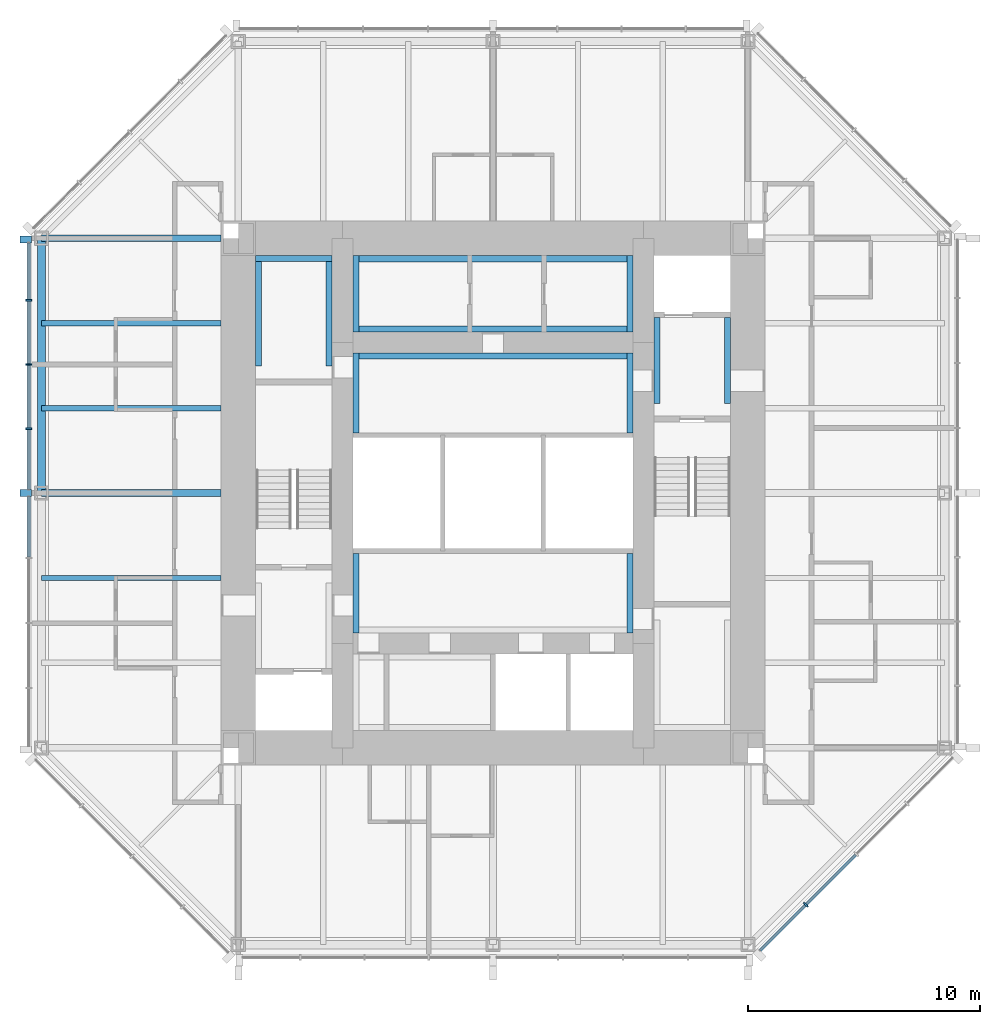
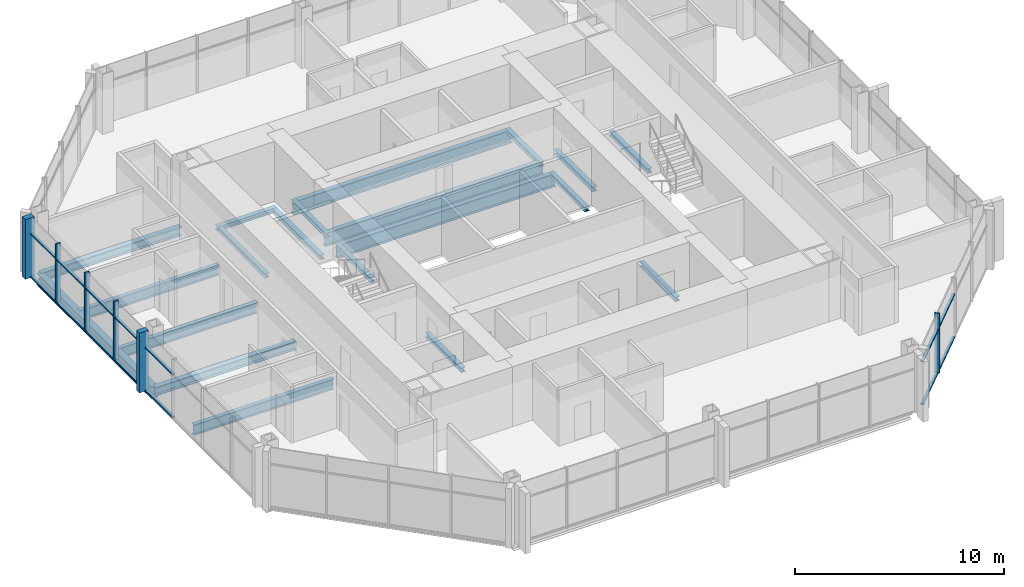
# One storey, part 3 of 11: 20 beams, 20 members, 2 elements without a shape of their own.
"""IFC4 building model written with IfcOpenShell, lengths in metres."""

from ifc_helpers import new_model, si_unit, direction, frame, origin, origin_2d, place, context, subcontext, project, spatial, rectangle, i_section, extrude, material, material_profile, profile_set, type_object, element, aggregate, save


model = new_model("IFC4")

# Units and contexts
model_context = context("Model", 3, precision=1e-05, world=origin(), true_north=direction((0.0, 1.0)))
body_context = subcontext(model_context, "Body", "Model", "MODEL_VIEW")
ifc_project = project(units=[si_unit("LENGTHUNIT", "METRE"), si_unit("AREAUNIT", "SQUARE_METRE"), si_unit("VOLUMEUNIT", "CUBIC_METRE"), si_unit("PLANEANGLEUNIT", "RADIAN"), si_unit("MASSUNIT", "GRAM", prefix="KILO")], contexts=[model_context])

# Site, building, storey
site_placement = place(None, origin())
site = spatial("IfcSite", under=ifc_project, at=site_placement, CompositionType="ELEMENT")
building_placement = place(site_placement, origin())
building = spatial("IfcBuilding", under=site, at=building_placement, Name="Trevanion Tower", CompositionType="ELEMENT")
storey_placement = place(building_placement, frame((0.0, 0.0, 222.199951171875)))
storey = spatial("IfcBuildingStorey", under=building, at=storey_placement, Name="L53", CompositionType="ELEMENT", Elevation=222.199951171875)

# Beams
ifc_material_1 = material(Name="Steel ASTM A992 Grade 50", Category="steel")
ifc_material_profile_1 = material_profile(ifc_material_1, i_section(OverallWidth=0.228271484375, OverallDepth=0.607177734375, WebThickness=0.01123046875, FlangeThickness=0.017333984375, at=origin_2d()), Name="W24X76")
ifc_profile_set_1 = profile_set([ifc_material_profile_1], Name="Steel ASTM A992 Grade 50")
beam_type_1 = type_object("IfcBeamType", Name="B11 W24X76", PredefinedType="BEAM", material=ifc_profile_set_1)
for number, where, z_axis, x_axis, name in (
    (1, (-11.75, 7.333251953125, -0.493408203125), (-1.0, 0.0, 0.0), (0.0, -1.0, 0.0), "B11 L53"),
    (2, (-11.75, 3.666748046875, -0.493408203125), (-1.0, 0.0, 0.0), (0.0, -1.0, 0.0), "B11 L53"),
    (3, (-11.75, -3.666748046875, -0.493408203125), (-1.0, 0.0, 0.0), (0.0, -1.0, 0.0), "B11 L53"),
):
    element("IfcBeam", number, at=place(storey_placement, frame(where, z_axis=z_axis, x_axis=x_axis)), inside=storey, type_object=beam_type_1, Name=name, PredefinedType="BEAM", context=body_context, shape_type="SweptSolid", body=[
        extrude(i_section(OverallWidth=0.228271484375, OverallDepth=0.607177734375, WebThickness=0.01123046875, FlangeThickness=0.017333984375, at=origin_2d()), origin(), (0.0, 0.0, 1.0), 7.75),
    ])

# Curtain wall, members
ifc_material_2 = material(Name="Aluminium and glass", Category="aluminium")
curtain_wall_type = type_object("IfcCurtainWallType", Name="CW3 curtain wall", PredefinedType="USERDEFINED", material=ifc_material_2)
curtain_wall_1_placement = place(storey_placement, origin())
curtain_wall_1 = element("IfcCurtainWall", 4, at=curtain_wall_1_placement, inside=storey, type_object=curtain_wall_type, Name="CW3 L53 4", ObjectType="UNITISED CURTAIN WALL", PredefinedType="USERDEFINED")
ifc_material_3 = material(Name="Aluminium extrusion, anodised bronze", Category="aluminium")
ifc_material_profile_2 = material_profile(ifc_material_3, rectangle(XDim=0.074951171875, YDim=0.25, at=origin_2d()), Name="CW3 mullion")
ifc_profile_set_2 = profile_set([ifc_material_profile_2], Name="Aluminium extrusion, anodised bronze")
member_type_1 = type_object("IfcMemberType", Name="CW3 mullion", PredefinedType="MULLION", material=ifc_profile_set_2)
member_1_placement = place(storey_placement, frame((-20.050048828125, 8.323486328125, -0.18994140625), z_axis=(0.0, 0.0, 1.0), x_axis=(0.0, -1.0, 0.0)))
member_1 = element("IfcMember", 5, at=member_1_placement, type_object=member_type_1, Name="CW3 mullion 2", PredefinedType="MULLION", context=body_context, shape_type="SweptSolid", body=[
    extrude(rectangle(XDim=0.074951171875, YDim=0.25, at=origin_2d()), origin(), (0.0, 0.0, 1.0), 3.5),
])
member_2_placement = place(storey_placement, frame((-20.050048828125, 5.548828125, -0.18994140625), z_axis=(0.0, 0.0, 1.0), x_axis=(0.0, -1.0, 0.0)))
member_2 = element("IfcMember", 6, at=member_2_placement, type_object=member_type_1, Name="CW3 mullion 3", PredefinedType="MULLION", context=body_context, shape_type="SweptSolid", body=[
    extrude(rectangle(XDim=0.074951171875, YDim=0.25, at=origin_2d()), origin(), (0.0, 0.0, 1.0), 3.5),
])
member_3_placement = place(storey_placement, frame((-20.050048828125, 2.7744140625, -0.18994140625), z_axis=(0.0, 0.0, 1.0), x_axis=(0.0, -1.0, 0.0)))
member_3 = element("IfcMember", 7, at=member_3_placement, type_object=member_type_1, Name="CW3 mullion 4", PredefinedType="MULLION", context=body_context, shape_type="SweptSolid", body=[
    extrude(rectangle(XDim=0.074951171875, YDim=0.25, at=origin_2d()), origin(), (0.0, 0.0, 1.0), 3.5),
])

# Curtain wall, member
curtain_wall_2_placement = place(storey_placement, origin())
curtain_wall_2 = element("IfcCurtainWall", 8, at=curtain_wall_2_placement, inside=storey, type_object=curtain_wall_type, Name="CW3 L53 7", ObjectType="UNITISED CURTAIN WALL", PredefinedType="USERDEFINED")
member_4_placement = place(storey_placement, frame((13.502197265625, -17.775390625, -0.18994140625), z_axis=(0.0, 0.0, 1.0), x_axis=(0.707106781187, 0.707106781187, 0.0)))
member_4 = element("IfcMember", 9, at=member_4_placement, type_object=member_type_1, Name="CW3 mullion 2", PredefinedType="MULLION", context=body_context, shape_type="SweptSolid", body=[
    extrude(rectangle(XDim=0.074951171875, YDim=0.25, at=origin_2d()), origin(), (0.0, 0.0, 1.0), 3.5),
])

# Member
ifc_material_4 = material(Name="Aluminium extrusion, anodised bronze", Category="aluminium")
ifc_material_profile_3 = material_profile(ifc_material_4, rectangle(XDim=0.300048828125, YDim=0.5, at=origin_2d()), Name="CW3 pier mullion")
ifc_profile_set_3 = profile_set([ifc_material_profile_3], Name="Aluminium extrusion, anodised bronze")
member_type_2 = type_object("IfcMemberType", Name="CW3 pier mullion", PredefinedType="MULLION", material=ifc_profile_set_3)
member_5_placement = place(storey_placement, frame((-20.175048828125, 10.94775390625, -0.18994140625), z_axis=(0.0, 0.0, 1.0), x_axis=(0.0, -1.0, 0.0)))
member_5 = element("IfcMember", 10, at=member_5_placement, type_object=member_type_2, Name="CW3 pier mullion 1", PredefinedType="MULLION", context=body_context, shape_type="SweptSolid", body=[
    extrude(rectangle(XDim=0.300048828125, YDim=0.5, at=origin_2d()), origin(), (0.0, 0.0, 1.0), 3.5),
])

member_6_placement = place(storey_placement, frame((-20.175048828125, 0.0, -0.18994140625), z_axis=(0.0, 0.0, 1.0), x_axis=(0.0, -1.0, 0.0)))
member_6 = element("IfcMember", 11, at=member_6_placement, type_object=member_type_2, Name="CW3 pier mullion 5", PredefinedType="MULLION", context=body_context, shape_type="SweptSolid", body=[
    extrude(rectangle(XDim=0.300048828125, YDim=0.5, at=origin_2d()), origin(), (0.0, 0.0, 1.0), 3.5),
])

ifc_material_5 = material(Name="Aluminium extrusion, anodised bronze", Category="aluminium")
ifc_material_profile_4 = material_profile(ifc_material_5, rectangle(XDim=0.14990234375, YDim=0.074951171875, at=origin_2d()), Name="CW3 transom")
ifc_profile_set_4 = profile_set([ifc_material_profile_4], Name="Aluminium extrusion, anodised bronze")
member_type_3 = type_object("IfcMemberType", Name="CW3 transom", PredefinedType="USERDEFINED", material=ifc_profile_set_4)
member_7_placement = place(storey_placement, frame((-20.050048828125, 10.7978515625, -0.15234375), z_axis=(0.0, -1.0, 0.0), x_axis=(1.0, 0.0, 0.0)))
member_7 = element("IfcMember", 12, at=member_7_placement, type_object=member_type_3, Name="CW3 transom 1.1", ObjectType="TRANSOM", PredefinedType="USERDEFINED", context=body_context, shape_type="SweptSolid", body=[
    extrude(rectangle(XDim=0.14990234375, YDim=0.074951171875, at=origin_2d()), origin(), (0.0, 0.0, 1.0), 2.43701171875),
])

member_8_placement = place(storey_placement, frame((-20.050048828125, 10.7978515625, 2.360107421875), z_axis=(0.0, -1.0, 0.0), x_axis=(1.0, 0.0, 0.0)))
member_8 = element("IfcMember", 13, at=member_8_placement, type_object=member_type_3, Name="CW3 transom 1.2", ObjectType="TRANSOM", PredefinedType="USERDEFINED", context=body_context, shape_type="SweptSolid", body=[
    extrude(rectangle(XDim=0.14990234375, YDim=0.074951171875, at=origin_2d()), origin(), (0.0, 0.0, 1.0), 2.43701171875),
])

member_9_placement = place(storey_placement, frame((-20.050048828125, 8.285888671875, -0.15234375), z_axis=(0.0, -1.0, 0.0), x_axis=(1.0, 0.0, 0.0)))
member_9 = element("IfcMember", 14, at=member_9_placement, type_object=member_type_3, Name="CW3 transom 2.1", ObjectType="TRANSOM", PredefinedType="USERDEFINED", context=body_context, shape_type="SweptSolid", body=[
    extrude(rectangle(XDim=0.14990234375, YDim=0.074951171875, at=origin_2d()), origin(), (0.0, 0.0, 1.0), 2.699462890625),
])

member_10_placement = place(storey_placement, frame((-20.050048828125, 8.285888671875, 2.360107421875), z_axis=(0.0, -1.0, 0.0), x_axis=(1.0, 0.0, 0.0)))
member_10 = element("IfcMember", 15, at=member_10_placement, type_object=member_type_3, Name="CW3 transom 2.2", ObjectType="TRANSOM", PredefinedType="USERDEFINED", context=body_context, shape_type="SweptSolid", body=[
    extrude(rectangle(XDim=0.14990234375, YDim=0.074951171875, at=origin_2d()), origin(), (0.0, 0.0, 1.0), 2.699462890625),
])

member_11_placement = place(storey_placement, frame((-20.050048828125, 5.511474609375, -0.15234375), z_axis=(0.0, -1.0, 0.0), x_axis=(1.0, 0.0, 0.0)))
member_11 = element("IfcMember", 16, at=member_11_placement, type_object=member_type_3, Name="CW3 transom 3.1", ObjectType="TRANSOM", PredefinedType="USERDEFINED", context=body_context, shape_type="SweptSolid", body=[
    extrude(rectangle(XDim=0.14990234375, YDim=0.074951171875, at=origin_2d()), origin(), (0.0, 0.0, 1.0), 2.699462890625),
])

member_12_placement = place(storey_placement, frame((-20.050048828125, 5.511474609375, 2.360107421875), z_axis=(0.0, -1.0, 0.0), x_axis=(1.0, 0.0, 0.0)))
member_12 = element("IfcMember", 17, at=member_12_placement, type_object=member_type_3, Name="CW3 transom 3.2", ObjectType="TRANSOM", PredefinedType="USERDEFINED", context=body_context, shape_type="SweptSolid", body=[
    extrude(rectangle(XDim=0.14990234375, YDim=0.074951171875, at=origin_2d()), origin(), (0.0, 0.0, 1.0), 2.699462890625),
])

member_13_placement = place(storey_placement, frame((-20.050048828125, 2.737060546875, -0.15234375), z_axis=(0.0, -1.0, 0.0), x_axis=(1.0, 0.0, 0.0)))
member_13 = element("IfcMember", 18, at=member_13_placement, type_object=member_type_3, Name="CW3 transom 4.1", ObjectType="TRANSOM", PredefinedType="USERDEFINED", context=body_context, shape_type="SweptSolid", body=[
    extrude(rectangle(XDim=0.14990234375, YDim=0.074951171875, at=origin_2d()), origin(), (0.0, 0.0, 1.0), 2.587158203125),
])

member_14_placement = place(storey_placement, frame((-20.050048828125, 2.737060546875, 2.360107421875), z_axis=(0.0, -1.0, 0.0), x_axis=(1.0, 0.0, 0.0)))
member_14 = element("IfcMember", 19, at=member_14_placement, type_object=member_type_3, Name="CW3 transom 4.2", ObjectType="TRANSOM", PredefinedType="USERDEFINED", context=body_context, shape_type="SweptSolid", body=[
    extrude(rectangle(XDim=0.14990234375, YDim=0.074951171875, at=origin_2d()), origin(), (0.0, 0.0, 1.0), 2.587158203125),
])

member_15_placement = place(storey_placement, frame((-20.050048828125, -0.14990234375, -0.15234375), z_axis=(0.0, -1.0, 0.0), x_axis=(1.0, 0.0, 0.0)))
member_15 = element("IfcMember", 20, at=member_15_placement, type_object=member_type_3, Name="CW3 transom 5.1", ObjectType="TRANSOM", PredefinedType="USERDEFINED", context=body_context, shape_type="SweptSolid", body=[
    extrude(rectangle(XDim=0.14990234375, YDim=0.074951171875, at=origin_2d()), origin(), (0.0, 0.0, 1.0), 2.619384765625),
])

member_16_placement = place(storey_placement, frame((-20.050048828125, -0.14990234375, 2.360107421875), z_axis=(0.0, -1.0, 0.0), x_axis=(1.0, 0.0, 0.0)))
member_16 = element("IfcMember", 21, at=member_16_placement, type_object=member_type_3, Name="CW3 transom 5.2", ObjectType="TRANSOM", PredefinedType="USERDEFINED", context=body_context, shape_type="SweptSolid", body=[
    extrude(rectangle(XDim=0.14990234375, YDim=0.074951171875, at=origin_2d()), origin(), (0.0, 0.0, 1.0), 2.619384765625),
])

aggregate(curtain_wall_1, [member_5, member_1, member_2, member_3, member_6, member_7, member_8, member_9, member_10, member_11, member_12, member_13, member_14, member_15, member_16])

member_17_placement = place(storey_placement, frame((11.531982421875, -19.745849609375, -0.15234375), z_axis=(0.707106781187, 0.707106781187, 0.0), x_axis=(-0.707106781187, 0.707106781187, 0.0)))
member_17 = element("IfcMember", 22, at=member_17_placement, type_object=member_type_3, Name="CW3 transom 1.1", ObjectType="TRANSOM", PredefinedType="USERDEFINED", context=body_context, shape_type="SweptSolid", body=[
    extrude(rectangle(XDim=0.14990234375, YDim=0.074951171875, at=origin_2d()), origin(), (0.0, 0.0, 1.0), 2.7490234375),
])

member_18_placement = place(storey_placement, frame((11.531982421875, -19.745849609375, 2.360107421875), z_axis=(0.707106781187, 0.707106781187, 0.0), x_axis=(-0.707106781187, 0.707106781187, 0.0)))
member_18 = element("IfcMember", 23, at=member_18_placement, type_object=member_type_3, Name="CW3 transom 1.2", ObjectType="TRANSOM", PredefinedType="USERDEFINED", context=body_context, shape_type="SweptSolid", body=[
    extrude(rectangle(XDim=0.14990234375, YDim=0.074951171875, at=origin_2d()), origin(), (0.0, 0.0, 1.0), 2.7490234375),
])

member_19_placement = place(storey_placement, frame((13.52880859375, -17.7490234375, -0.15234375), z_axis=(0.707106781187, 0.707106781187, 0.0), x_axis=(-0.707106781187, 0.707106781187, 0.0)))
member_19 = element("IfcMember", 24, at=member_19_placement, type_object=member_type_3, Name="CW3 transom 2.1", ObjectType="TRANSOM", PredefinedType="USERDEFINED", context=body_context, shape_type="SweptSolid", body=[
    extrude(rectangle(XDim=0.14990234375, YDim=0.074951171875, at=origin_2d()), origin(), (0.0, 0.0, 1.0), 3.01171875),
])

member_20_placement = place(storey_placement, frame((13.52880859375, -17.7490234375, 2.360107421875), z_axis=(0.707106781187, 0.707106781187, 0.0), x_axis=(-0.707106781187, 0.707106781187, 0.0)))
member_20 = element("IfcMember", 25, at=member_20_placement, type_object=member_type_3, Name="CW3 transom 2.2", ObjectType="TRANSOM", PredefinedType="USERDEFINED", context=body_context, shape_type="SweptSolid", body=[
    extrude(rectangle(XDim=0.14990234375, YDim=0.074951171875, at=origin_2d()), origin(), (0.0, 0.0, 1.0), 3.01171875),
])

aggregate(curtain_wall_2, [member_4, member_17, member_18, member_19, member_20])

# Beams
ifc_material_6 = material(Name="Steel ASTM A992 Grade 50", Category="steel")
ifc_material_profile_5 = material_profile(ifc_material_6, i_section(OverallWidth=0.28955078125, OverallDepth=0.508056640625, WebThickness=0.022705078125, FlangeThickness=0.040283203125, at=origin_2d()), Name="W18X175")
ifc_profile_set_5 = profile_set([ifc_material_profile_5], Name="Steel ASTM A992 Grade 50")
beam_type_2 = type_object("IfcBeamType", Name="G6 W18X175", PredefinedType="BEAM", material=ifc_profile_set_5)
for number, where, z_axis, x_axis, name in (
    (26, (-11.75, 11.0, -0.44384765625), (-1.0, 0.0, 0.0), (0.0, -1.0, 0.0), "G6 L53"),
    (27, (-11.75, 0.0, -0.44384765625), (-1.0, 0.0, 0.0), (0.0, -1.0, 0.0), "G6 L53"),
):
    element("IfcBeam", number, at=place(storey_placement, frame(where, z_axis=z_axis, x_axis=x_axis)), inside=storey, type_object=beam_type_2, Name=name, PredefinedType="BEAM", context=body_context, shape_type="SweptSolid", body=[
        extrude(i_section(OverallWidth=0.28955078125, OverallDepth=0.508056640625, WebThickness=0.022705078125, FlangeThickness=0.040283203125, at=origin_2d()), origin(), (0.0, 0.0, 1.0), 7.75),
    ])
ifc_material_7 = material(Name="Steel ASTM A992 Grade 50", Category="steel")
ifc_material_profile_6 = material_profile(ifc_material_7, i_section(OverallWidth=0.256591796875, OverallDepth=0.26416015625, WebThickness=0.011962890625, FlangeThickness=0.01953125, at=origin_2d()), Name="W10X68")
ifc_profile_set_6 = profile_set([ifc_material_profile_6], Name="Steel ASTM A992 Grade 50")
beam_type_3 = type_object("IfcBeamType", Name="LB1 W10X68", PredefinedType="BEAM", material=ifc_profile_set_6)
for number, where, z_axis, x_axis, name in (
    (28, (-5.921630859375, 2.60009765625, -0.33203125), (0.0, 1.0, 0.0), (-1.0, 0.0, 0.0), "LB1 L53"),
    (29, (5.921630859375, 2.60009765625, -0.33203125), (0.0, 1.0, 0.0), (-1.0, 0.0, 0.0), "LB1 L53"),
    (30, (-5.921630859375, -6.050048828125, -0.33203125), (0.0, 1.0, 0.0), (-1.0, 0.0, 0.0), "LB1 L53"),
    (31, (5.921630859375, -6.050048828125, -0.33203125), (0.0, 1.0, 0.0), (-1.0, 0.0, 0.0), "LB1 L53"),
):
    element("IfcBeam", number, at=place(storey_placement, frame(where, z_axis=z_axis, x_axis=x_axis)), inside=storey, type_object=beam_type_3, Name=name, PredefinedType="BEAM", context=body_context, shape_type="SweptSolid", body=[
        extrude(i_section(OverallWidth=0.256591796875, OverallDepth=0.26416015625, WebThickness=0.011962890625, FlangeThickness=0.01953125, at=origin_2d()), origin(), (0.0, 0.0, 1.0), 3.449951171875),
    ])
for number, where, z_axis, x_axis, name in (
    (32, (7.078369140625, 3.875, -0.33203125), (0.0, 1.0, 0.0), (-1.0, 0.0, 0.0), "LB1 L53"),
    (33, (10.12158203125, 3.875, -0.33203125), (0.0, 1.0, 0.0), (-1.0, 0.0, 0.0), "LB1 L53"),
):
    element("IfcBeam", number, at=place(storey_placement, frame(where, z_axis=z_axis, x_axis=x_axis)), inside=storey, type_object=beam_type_3, Name=name, PredefinedType="BEAM", context=body_context, shape_type="SweptSolid", body=[
        extrude(i_section(OverallWidth=0.256591796875, OverallDepth=0.26416015625, WebThickness=0.011962890625, FlangeThickness=0.01953125, at=origin_2d()), origin(), (0.0, 0.0, 1.0), 3.699951171875),
    ])
for number, where, z_axis, x_axis, name in (
    (34, (-10.12158203125, 5.47509765625, -0.33203125), (0.0, 1.0, 0.0), (-1.0, 0.0, 0.0), "LB1 L53"),
    (35, (-7.078369140625, 5.47509765625, -0.33203125), (0.0, 1.0, 0.0), (-1.0, 0.0, 0.0), "LB1 L53"),
):
    element("IfcBeam", number, at=place(storey_placement, frame(where, z_axis=z_axis, x_axis=x_axis)), inside=storey, type_object=beam_type_3, Name=name, PredefinedType="BEAM", context=body_context, shape_type="SweptSolid", body=[
        extrude(i_section(OverallWidth=0.256591796875, OverallDepth=0.26416015625, WebThickness=0.011962890625, FlangeThickness=0.01953125, at=origin_2d()), origin(), (0.0, 0.0, 1.0), 4.77490234375),
    ])
for number, where, z_axis, x_axis, name in (
    (36, (-10.25, 10.12158203125, -0.33203125), (1.0, 0.0, 0.0), (0.0, 1.0, 0.0), "LB1 L53"),
    (37, (-5.921630859375, 6.949951171875, -0.33203125), (0.0, 1.0, 0.0), (-1.0, 0.0, 0.0), "LB1 L53"),
    (38, (5.921630859375, 6.949951171875, -0.33203125), (0.0, 1.0, 0.0), (-1.0, 0.0, 0.0), "LB1 L53"),
):
    element("IfcBeam", number, at=place(storey_placement, frame(where, z_axis=z_axis, x_axis=x_axis)), inside=storey, type_object=beam_type_3, Name=name, PredefinedType="BEAM", context=body_context, shape_type="SweptSolid", body=[
        extrude(i_section(OverallWidth=0.256591796875, OverallDepth=0.26416015625, WebThickness=0.011962890625, FlangeThickness=0.01953125, at=origin_2d()), origin(), (0.0, 0.0, 1.0), 3.300048828125),
    ])
ifc_material_8 = material(Name="Steel ASTM A992 Grade 50", Category="steel")
ifc_material_profile_7 = material_profile(ifc_material_8, i_section(OverallWidth=0.2666015625, OverallDepth=0.76953125, WebThickness=0.015625, FlangeThickness=0.025390625, at=origin_2d()), Name="W30X132")
ifc_profile_set_7 = profile_set([ifc_material_profile_7], Name="Steel ASTM A992 Grade 50")
beam_type_4 = type_object("IfcBeamType", Name="LB3 W30X132", PredefinedType="BEAM", material=ifc_profile_set_7)
for number, where, z_axis, x_axis, name in (
    (39, (-6.050048828125, 5.91650390625, -0.584716796875), (1.0, 0.0, 0.0), (0.0, 1.0, 0.0), "LB3 L53"),
    (40, (-6.050048828125, 7.08349609375, -0.584716796875), (1.0, 0.0, 0.0), (0.0, 1.0, 0.0), "LB3 L53"),
    (41, (-6.050048828125, 10.11669921875, -0.584716796875), (1.0, 0.0, 0.0), (0.0, 1.0, 0.0), "LB3 L53"),
):
    element("IfcBeam", number, at=place(storey_placement, frame(where, z_axis=z_axis, x_axis=x_axis)), inside=storey, type_object=beam_type_4, Name=name, PredefinedType="BEAM", context=body_context, shape_type="SweptSolid", body=[
        extrude(i_section(OverallWidth=0.2666015625, OverallDepth=0.76953125, WebThickness=0.015625, FlangeThickness=0.025390625, at=origin_2d()), origin(), (0.0, 0.0, 1.0), 12.10009765625),
    ])
ifc_material_9 = material(Name="Steel ASTM A992 Grade 50", Category="steel")
ifc_material_profile_8 = material_profile(ifc_material_9, i_section(OverallWidth=0.355712890625, OverallDepth=0.696044921875, WebThickness=0.015380859375, FlangeThickness=0.024658203125, at=origin_2d()), Name="W27X146")
ifc_profile_set_8 = profile_set([ifc_material_profile_8], Name="Steel ASTM A992 Grade 50")
beam_type_5 = type_object("IfcBeamType", Name="SB8 W27X146", PredefinedType="SPANDREL", material=ifc_profile_set_8)
beam_placement = place(storey_placement, frame((-19.5, 11.0, -0.537841796875), z_axis=(0.0, -1.0, 0.0), x_axis=(1.0, 0.0, 0.0)))
element("IfcBeam", 42, at=beam_placement, inside=storey, type_object=beam_type_5, Name="SB8 L53", PredefinedType="SPANDREL", context=body_context, shape_type="SweptSolid", body=[
    extrude(i_section(OverallWidth=0.355712890625, OverallDepth=0.696044921875, WebThickness=0.015380859375, FlangeThickness=0.024658203125, at=origin_2d()), origin(), (0.0, 0.0, 1.0), 11.0),
])

save(model, "model.ifc")
